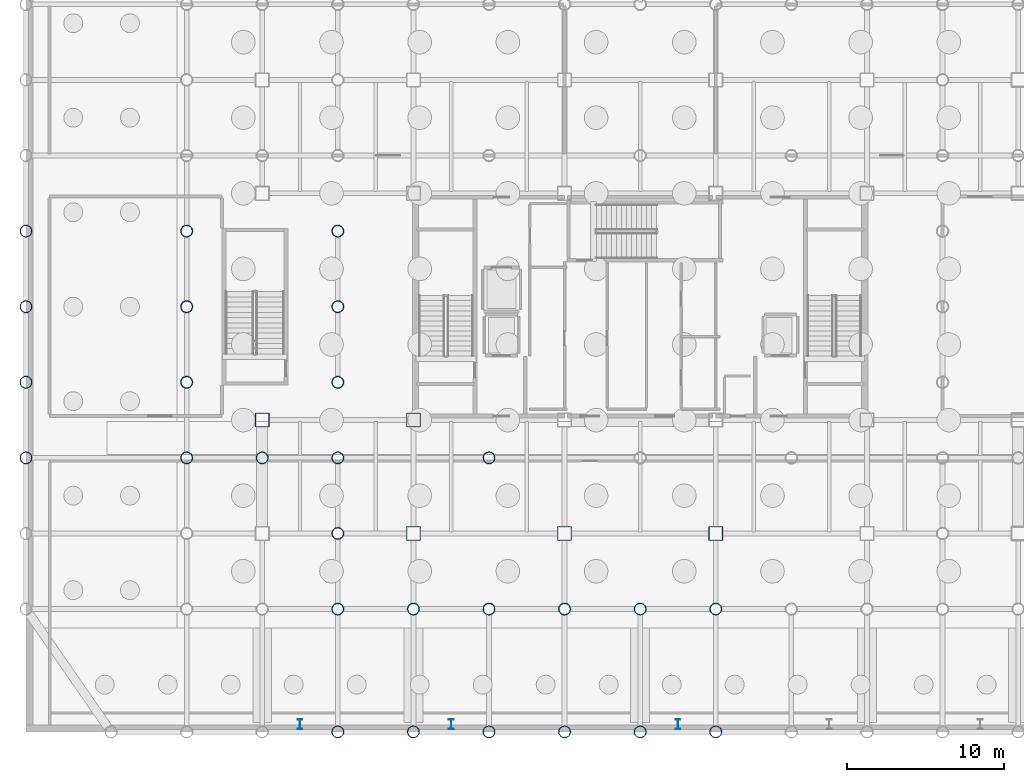
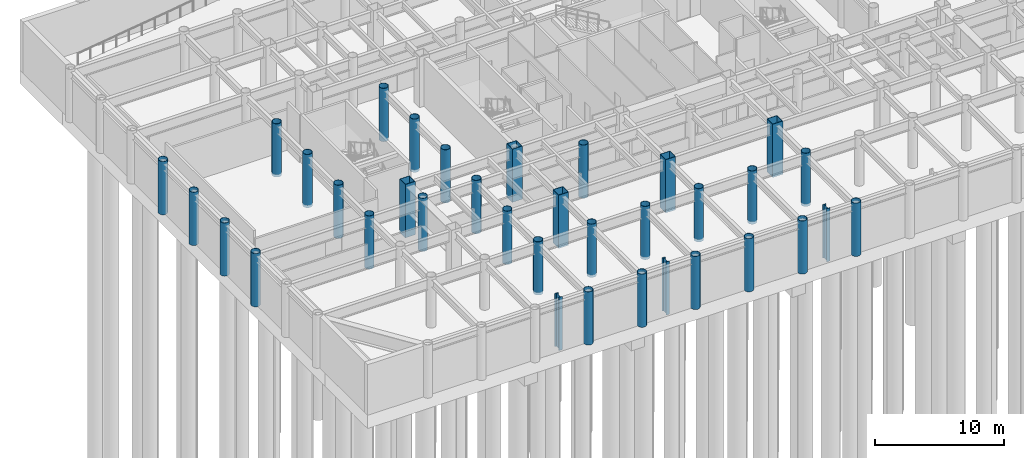
# One storey, part 2 of 17: 35 columns.
"""IFC4 building model written with IfcOpenShell, lengths in metres."""

import ifcopenshell
import ifcopenshell.guid

model = None  # the IFC model being written
_history = None  # IfcOwnerHistory: only IFC2X3 demands one
_inside = {}  # id of a spatial element -> (the spatial element, [elements in it])
_under = {}  # id of a project, library or spatial element -> (it, [spatial elements below it])
_declared = {}  # id of a project -> (the project, [libraries it declares])
_typed = {}  # id of a type object -> (the type object, [elements of that type])
_made_of = {}  # id of a material, layer set ... -> (it, [elements and type objects made of it])


def new_model(schema):
    """Start an empty IFC model of exactly this schema.

    Asked for "IFC4X3", IfcOpenShell would pick the latest addendum, in which some entities
    have other attributes; the version numbers below select the first issue.
    IFC2X3 requires an IfcOwnerHistory on every rooted entity: one is made here for all.
    """
    global model, _history
    if schema == "IFC4X3":
        model = ifcopenshell.file(schema_version=(4, 3, 0, 0))
    else:
        model = ifcopenshell.file(schema=schema)
    _inside.clear()
    _under.clear()
    _declared.clear()
    _typed.clear()
    _made_of.clear()
    _history = None
    if model.schema == "IFC2X3":
        org = make("IfcOrganization", Name="unknown")
        user = make(
            "IfcPersonAndOrganization",
            ThePerson=make("IfcPerson", FamilyName="unknown"),
            TheOrganization=org,
        )
        app = make(
            "IfcApplication",
            ApplicationDeveloper=org,
            Version="unknown",
            ApplicationFullName="unknown",
            ApplicationIdentifier="unknown",
        )
        _history = make(
            "IfcOwnerHistory",
            OwningUser=user,
            OwningApplication=app,
            ChangeAction="ADDED",
            CreationDate=0,
        )
    return model


def make(cls, **values):
    """One entity of the class cls with the attributes given. An attribute that is None is left unset."""
    return model.create_entity(
        cls, **{name: value for name, value in values.items() if value is not None}
    )


def rooted(cls, **values):
    """An entity with a GlobalId (a new one), such as an element, a storey or a relation."""
    return make(cls, GlobalId=ifcopenshell.guid.new(), OwnerHistory=_history, **values)


def si_unit(unit_type, name, prefix=None):
    """IfcSIUnit, for example si_unit("LENGTHUNIT", "METRE", prefix="MILLI")."""
    return make("IfcSIUnit", UnitType=unit_type, Prefix=prefix, Name=name)


def assignment(units):
    """IfcUnitAssignment: the units of a project."""
    return None if units is None else make("IfcUnitAssignment", Units=units)


def point(xyz):
    """IfcCartesianPoint."""
    return None if xyz is None else make("IfcCartesianPoint", Coordinates=xyz)


def direction(xyz):
    """IfcDirection."""
    return None if xyz is None else make("IfcDirection", DirectionRatios=xyz)


def frame(location, z_axis=None, x_axis=None):
    """IfcAxis2Placement3D, a coordinate frame: its origin and axes. An axis left out is left unset."""
    return make(
        "IfcAxis2Placement3D",
        Location=point(location),
        Axis=direction(z_axis),
        RefDirection=direction(x_axis),
    )


def frame_2d(location, x_axis=None):
    """IfcAxis2Placement2D, a coordinate frame in the plane: its origin and x axis."""
    return make(
        "IfcAxis2Placement2D", Location=point(location), RefDirection=direction(x_axis)
    )


def origin():
    """The frame at (0, 0, 0) with its axes left unset."""
    return frame((0.0, 0.0, 0.0))


def origin_2d():
    """The frame at (0, 0) in the plane with its x axis left unset."""
    return frame_2d((0.0, 0.0))


def place(relative_to, where):
    """IfcLocalPlacement: puts the frame where relative to a parent placement (None: the world)."""
    return make(
        "IfcLocalPlacement", PlacementRelTo=relative_to, RelativePlacement=where
    )


def context(
    kind, dimensions, precision=None, world=None, true_north=None, identifier=None
):
    """IfcGeometricRepresentationContext, for example the 3D "Model" context."""
    return make(
        "IfcGeometricRepresentationContext",
        ContextIdentifier=identifier,
        ContextType=kind,
        CoordinateSpaceDimension=dimensions,
        Precision=precision,
        WorldCoordinateSystem=world,
        TrueNorth=true_north,
    )


def subcontext(parent, identifier, kind, view, scale=None):
    """IfcGeometricRepresentationSubContext, for example "Body" below "Model"."""
    return make(
        "IfcGeometricRepresentationSubContext",
        ContextIdentifier=identifier,
        ContextType=kind,
        ParentContext=parent,
        TargetScale=scale,
        TargetView=view,
    )


def project(units=None, contexts=None):
    """IfcProject with its units and contexts."""
    return rooted(
        "IfcProject",
        Name="project",
        RepresentationContexts=contexts,
        UnitsInContext=assignment(units),
    )


def spatial(cls, under=None, at=None, **own):
    """A site, building, storey or space (cls), placed at a placement, below another one or the project."""
    s = rooted(cls, ObjectPlacement=at, **own)
    if under is not None:
        _under.setdefault(under.id(), (under, []))[1].append(s)
    return s


def profile(cls, at=None, kind="AREA", **sizes):
    """A parametric profile (cls). Its sizes go by their IFC names, for example OverallWidth=200.0."""
    return make(cls, ProfileType=kind, Position=at, **sizes)


def hollow_rectangle(**sizes):
    """IfcRectangleHollowProfileDef."""
    return profile("IfcRectangleHollowProfileDef", **sizes)


def hollow_circle(**sizes):
    """IfcCircleHollowProfileDef."""
    return profile("IfcCircleHollowProfileDef", **sizes)


def i_section(**sizes):
    """IfcIShapeProfileDef."""
    return profile("IfcIShapeProfileDef", **sizes)


def extrude(swept, where, along, depth):
    """IfcExtrudedAreaSolid: the profile swept, set in the frame where, extruded along a direction by depth."""
    return make(
        "IfcExtrudedAreaSolid",
        SweptArea=swept,
        Position=where,
        ExtrudedDirection=direction(along),
        Depth=depth,
    )


def shape(context_of_items, identifier, shape_type, items):
    """IfcShapeRepresentation: the items that make up one representation, for example the "Body"."""
    return make(
        "IfcShapeRepresentation",
        ContextOfItems=context_of_items,
        RepresentationIdentifier=identifier,
        RepresentationType=shape_type,
        Items=items,
    )


def material(Name=None, Category=None):
    """IfcMaterial."""
    return make("IfcMaterial", Name=Name, Category=Category)


def material_profile(
    of_material, cross_section, Name=None, Category=None, Priority=None
):
    """IfcMaterialProfile: a cross section and its material."""
    return make(
        "IfcMaterialProfile",
        Name=Name,
        Material=of_material,
        Profile=cross_section,
        Priority=Priority,
        Category=Category,
    )


def profile_set(profiles, Name=None, composite=None):
    """IfcMaterialProfileSet."""
    return make(
        "IfcMaterialProfileSet",
        Name=Name,
        MaterialProfiles=profiles,
        CompositeProfile=composite,
    )


def made_of(thing, what):
    """Note that an element or type object is made of a material, layer set ...; save() writes the relation."""
    if what is not None:
        _made_of.setdefault(what.id(), (what, []))[1].append(thing)
    return thing


def type_object(cls, material=None, **own):
    """A type object (cls), such as IfcWallType, which elements share."""
    return made_of(rooted(cls, **own), material)


def element(
    cls,
    number,
    at=None,
    inside=None,
    cuts=None,
    type_object=None,
    material=None,
    context=None,
    identifier="Body",
    shape_type=None,
    held_by="IfcProductDefinitionShape",
    body=None,
    shapes=None,
    **own,
):
    """One element of the class cls, such as IfcWall. Its Tag is "e" and its number.

    at: its placement. inside: the storey or other place that contains it. cuts: it is an
    opening in that element (IfcRelVoidsElement). A single representation is given by context,
    identifier, shape_type and body (its items); several are given by shapes. held_by: the class
    of the entity that holds the representations. save() writes the other relations.
    """
    e = rooted(cls, Tag="e%d" % number, ObjectPlacement=at, **own)
    if body is not None:
        shapes = [shape(context, identifier, shape_type, body)]
    if shapes is not None:
        e.Representation = make(held_by, Representations=shapes)
    if inside is not None:
        _inside.setdefault(inside.id(), (inside, []))[1].append(e)
    if cuts is not None:
        rooted(
            "IfcRelVoidsElement", RelatingBuildingElement=cuts, RelatedOpeningElement=e
        )
    if type_object is not None:
        _typed.setdefault(type_object.id(), (type_object, []))[1].append(e)
    return made_of(e, material)


def aggregate(whole, parts):
    """IfcRelAggregates: a whole, such as a stair, and the parts it consists of."""
    return rooted("IfcRelAggregates", RelatingObject=whole, RelatedObjects=parts)


def save(model, path):
    """Write the relations noted so far, then the file.

    IfcRelAggregates (storeys below a building ...), IfcRelContainedInSpatialStructure (elements
    in a storey), IfcRelDefinesByType, IfcRelAssociatesMaterial and IfcRelDeclares: one each for
    every whole, place, type object, material and project.
    """
    for whole, parts in _under.values():
        aggregate(whole, parts)
    for where, things in _inside.values():
        rooted(
            "IfcRelContainedInSpatialStructure",
            RelatedElements=things,
            RelatingStructure=where,
        )
    for kind, things in _typed.values():
        rooted("IfcRelDefinesByType", RelatedObjects=things, RelatingType=kind)
    for what, things in _made_of.values():
        rooted("IfcRelAssociatesMaterial", RelatedObjects=things, RelatingMaterial=what)
    for by, libraries in _declared.values():
        rooted("IfcRelDeclares", RelatingContext=by, RelatedDefinitions=libraries)
    model.write(path)


model = new_model("IFC4")

# Units and contexts
model_context = context("Model", 3, precision=1e-05, world=origin(), true_north=direction((0.0, 1.0)))
body_context = subcontext(model_context, "Body", "Model", "MODEL_VIEW")
ifc_project = project(units=[si_unit("LENGTHUNIT", "METRE"), si_unit("AREAUNIT", "SQUARE_METRE"), si_unit("VOLUMEUNIT", "CUBIC_METRE"), si_unit("PLANEANGLEUNIT", "RADIAN"), si_unit("MASSUNIT", "GRAM", prefix="KILO")], contexts=[model_context])

# Site, building, storey
site_placement = place(None, origin())
site = spatial("IfcSite", under=ifc_project, at=site_placement, CompositionType="ELEMENT")
building_placement = place(site_placement, origin())
building = spatial("IfcBuilding", under=site, at=building_placement, Name="Kallvorn Hotel Tower", CompositionType="ELEMENT")
storey_placement = place(building_placement, frame((0.0, 0.0, -10.199951171875)))
storey = spatial("IfcBuildingStorey", under=building, at=storey_placement, Name="B2", CompositionType="ELEMENT", Elevation=-10.199951171875)

# Columns
ifc_material_1 = material(Name="Structural steel S355J2H", Category="steel")
ifc_material_profile_1 = material_profile(ifc_material_1, hollow_circle(Radius=0.381103515625, WallThickness=0.031982421875, at=origin_2d()), Name="CHS 762x32")
ifc_profile_set_1 = profile_set([ifc_material_profile_1], Name="Structural steel S355J2H")
column_type_1 = type_object("IfcColumnType", Name="COL_CHS_762", PredefinedType="COLUMN", material=ifc_profile_set_1)
for number, where, z_axis, x_axis, name in (
    (1, (-39.0, -9.60009765625, -0.25), (0.0, 0.0, 1.0), (1.0, 0.0, 0.0), "B2 Exoskeleton Column EC03"),
    (2, (-39.0, -4.800048828125, -0.25), (0.0, 0.0, 1.0), (1.0, 0.0, 0.0), "B2 Exoskeleton Column EC04"),
    (3, (-39.0, 0.0, -0.25), (0.0, 0.0, 1.0), (1.0, 0.0, 0.0), "B2 Exoskeleton Column EC05"),
    (4, (-39.0, 4.800048828125, -0.25), (0.0, 0.0, 1.0), (1.0, 0.0, 0.0), "B2 Exoskeleton Column EC06"),
    (5, (-28.800048828125, -9.60009765625, -0.25), (0.0, 0.0, 1.0), (1.0, 0.0, 0.0), "B2 Exoskeleton Column EC15"),
    (6, (-28.800048828125, -4.800048828125, -0.25), (0.0, 0.0, 1.0), (1.0, 0.0, 0.0), "B2 Exoskeleton Column EC16"),
    (7, (-28.800048828125, 0.0, -0.25), (0.0, 0.0, 1.0), (1.0, 0.0, 0.0), "B2 Exoskeleton Column EC17"),
    (8, (-28.800048828125, 4.800048828125, -0.25), (0.0, 0.0, 1.0), (1.0, 0.0, 0.0), "B2 Exoskeleton Column EC18"),
    (9, (-24.0, -9.60009765625, -0.25), (0.0, 0.0, 1.0), (1.0, 0.0, 0.0), "B2 Exoskeleton Column EC25"),
    (10, (-19.199951171875, -27.0, -0.25), (0.0, 0.0, 1.0), (1.0, 0.0, 0.0), "B2 Exoskeleton Column EC29"),
    (11, (-19.199951171875, -19.199951171875, -0.25), (0.0, 0.0, 1.0), (1.0, 0.0, 0.0), "B2 Exoskeleton Column EC30"),
    (12, (-19.199951171875, -14.39990234375, -0.25), (0.0, 0.0, 1.0), (1.0, 0.0, 0.0), "B2 Exoskeleton Column EC31"),
    (13, (-19.199951171875, -9.60009765625, -0.25), (0.0, 0.0, 1.0), (1.0, 0.0, 0.0), "B2 Exoskeleton Column EC32"),
    (14, (-19.199951171875, -4.800048828125, -0.25), (0.0, 0.0, 1.0), (1.0, 0.0, 0.0), "B2 Exoskeleton Column EC33"),
    (15, (-19.199951171875, 0.0, -0.25), (0.0, 0.0, 1.0), (1.0, 0.0, 0.0), "B2 Exoskeleton Column EC34"),
    (16, (-19.199951171875, 4.800048828125, -0.25), (0.0, 0.0, 1.0), (1.0, 0.0, 0.0), "B2 Exoskeleton Column EC35"),
    (17, (-14.39990234375, -27.0, -0.25), (0.0, 0.0, 1.0), (1.0, 0.0, 0.0), "B2 Exoskeleton Column EC40"),
    (18, (-14.39990234375, -19.199951171875, -0.25), (0.0, 0.0, 1.0), (1.0, 0.0, 0.0), "B2 Exoskeleton Column EC41"),
    (19, (-9.60009765625, -27.0, -0.25), (0.0, 0.0, 1.0), (1.0, 0.0, 0.0), "B2 Exoskeleton Column EC44"),
    (20, (-9.60009765625, -19.199951171875, -0.25), (0.0, 0.0, 1.0), (1.0, 0.0, 0.0), "B2 Exoskeleton Column EC45"),
    (21, (-9.60009765625, -9.60009765625, -0.25), (0.0, 0.0, 1.0), (1.0, 0.0, 0.0), "B2 Exoskeleton Column EC46"),
    (22, (-4.800048828125, -27.0, -0.25), (0.0, 0.0, 1.0), (1.0, 0.0, 0.0), "B2 Exoskeleton Column EC50"),
    (23, (-4.800048828125, -19.199951171875, -0.25), (0.0, 0.0, 1.0), (1.0, 0.0, 0.0), "B2 Exoskeleton Column EC51"),
    (24, (0.0, -27.0, -0.25), (0.0, 0.0, 1.0), (1.0, 0.0, 0.0), "B2 Exoskeleton Column EC54"),
    (25, (0.0, -19.199951171875, -0.25), (0.0, 0.0, 1.0), (1.0, 0.0, 0.0), "B2 Exoskeleton Column EC55"),
    (26, (4.800048828125, -27.0, -0.25), (0.0, 0.0, 1.0), (1.0, 0.0, 0.0), "B2 Exoskeleton Column EC60"),
    (27, (4.800048828125, -19.199951171875, -0.25), (0.0, 0.0, 1.0), (1.0, 0.0, 0.0), "B2 Exoskeleton Column EC61"),
):
    element("IfcColumn", number, at=place(storey_placement, frame(where, z_axis=z_axis, x_axis=x_axis)), inside=storey, type_object=column_type_1, Name=name, PredefinedType="COLUMN", context=body_context, shape_type="SweptSolid", body=[
        extrude(hollow_circle(Radius=0.381103515625, WallThickness=0.031982421875, at=origin_2d()), origin(), (0.0, 0.0, 1.0), 5.050048828125),
    ])
ifc_material_2 = material(Name="Structural steel S355J2H", Category="steel")
ifc_material_profile_2 = material_profile(ifc_material_2, hollow_rectangle(XDim=0.89990234375, YDim=0.89990234375, WallThickness=0.0400390625, at=origin_2d()), Name="RHS 900x900x40")
ifc_profile_set_2 = profile_set([ifc_material_profile_2], Name="Structural steel S355J2H")
column_type_2 = type_object("IfcColumnType", Name="COL_RHS_900", PredefinedType="COLUMN", material=ifc_profile_set_2)
for number, where, z_axis, x_axis, name in (
    (28, (-24.0, -7.199951171875, -0.25), (0.0, 0.0, 1.0), (1.0, 0.0, 0.0), "B2 Inner Column IC02"),
    (29, (-14.39990234375, -14.39990234375, -0.25), (0.0, 0.0, 1.0), (1.0, 0.0, 0.0), "B2 Inner Column IC05"),
    (30, (-14.39990234375, -7.199951171875, -0.25), (0.0, 0.0, 1.0), (1.0, 0.0, 0.0), "B2 Inner Column IC06"),
    (31, (-4.800048828125, -14.39990234375, -0.25), (0.0, 0.0, 1.0), (1.0, 0.0, 0.0), "B2 Inner Column IC09"),
    (32, (4.800048828125, -14.39990234375, -0.25), (0.0, 0.0, 1.0), (1.0, 0.0, 0.0), "B2 Inner Column IC13"),
):
    element("IfcColumn", number, at=place(storey_placement, frame(where, z_axis=z_axis, x_axis=x_axis)), inside=storey, type_object=column_type_2, Name=name, PredefinedType="COLUMN", context=body_context, shape_type="SweptSolid", body=[
        extrude(hollow_rectangle(XDim=0.89990234375, YDim=0.89990234375, WallThickness=0.0400390625, at=origin_2d()), origin(), (0.0, 0.0, 1.0), 5.050048828125),
    ])
ifc_material_3 = material(Name="Structural steel S355JR", Category="steel")
ifc_material_profile_3 = material_profile(ifc_material_3, i_section(OverallWidth=0.300048828125, OverallDepth=0.64990234375, WebThickness=0.01611328125, FlangeThickness=0.031005859375, at=origin_2d()), Name="HE 650 B")
ifc_profile_set_3 = profile_set([ifc_material_profile_3], Name="Structural steel S355JR")
column_type_3 = type_object("IfcColumnType", Name="PILASTER_HE650B", PredefinedType="PILASTER", material=ifc_profile_set_3)
for number, where, z_axis, x_axis, name in (
    (33, (-21.60009765625, -26.52001953125, -0.25), (0.0, 0.0, 1.0), (1.0, 0.0, 0.0), "B2 Chicago Colonnade Pilaster 01"),
    (34, (-12.0, -26.52001953125, -0.25), (0.0, 0.0, 1.0), (1.0, 0.0, 0.0), "B2 Chicago Colonnade Pilaster 02"),
    (35, (2.39990234375, -26.52001953125, -0.25), (0.0, 0.0, 1.0), (1.0, 0.0, 0.0), "B2 Chicago Colonnade Pilaster 03"),
):
    element("IfcColumn", number, at=place(storey_placement, frame(where, z_axis=z_axis, x_axis=x_axis)), inside=storey, type_object=column_type_3, Name=name, PredefinedType="PILASTER", context=body_context, shape_type="SweptSolid", body=[
        extrude(i_section(OverallWidth=0.300048828125, OverallDepth=0.64990234375, WebThickness=0.01611328125, FlangeThickness=0.031005859375, at=origin_2d()), origin(), (0.0, 0.0, 1.0), 5.050048828125),
    ])

save(model, "model.ifc")
